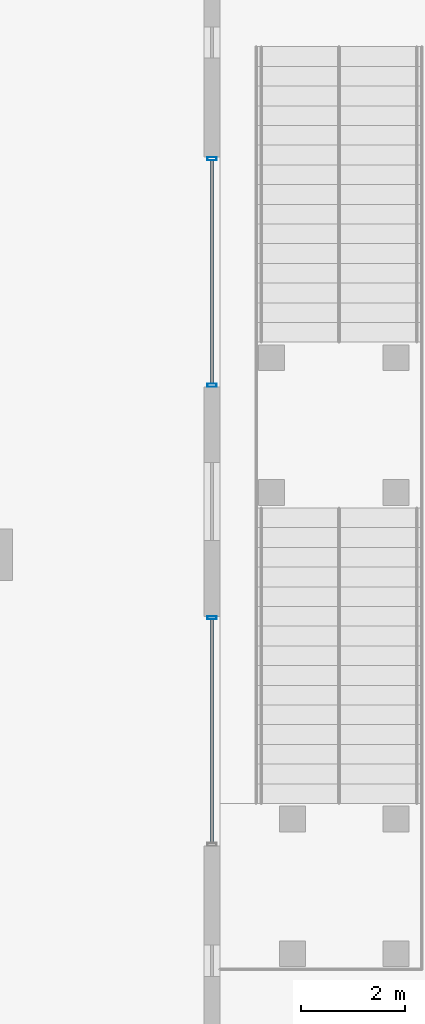
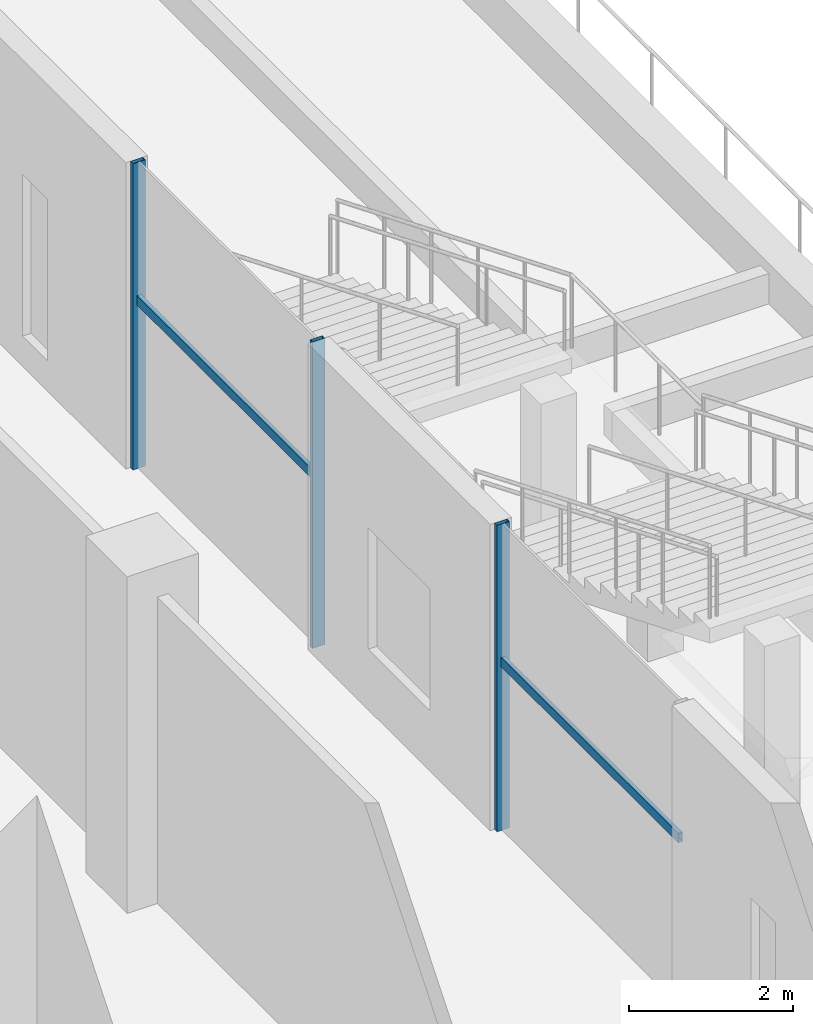
# One storey, part 14 of 49: 5 members, 2 elements without a shape of their own.
"""IFC4 building model written with IfcOpenShell, lengths in metres."""

from ifc_helpers import new_model, si_unit, direction, frame, origin, origin_2d, place, context, subcontext, project, spatial, hollow_rectangle, extrude, material, material_profile, profile_set, type_object, element, aggregate, save


model = new_model("IFC4")

# Units and contexts
model_context = context("Model", 3, precision=1e-05, world=origin(), true_north=direction((0.0, 1.0)))
body_context = subcontext(model_context, "Body", "Model", "MODEL_VIEW")
ifc_project = project(units=[si_unit("LENGTHUNIT", "METRE"), si_unit("AREAUNIT", "SQUARE_METRE"), si_unit("VOLUMEUNIT", "CUBIC_METRE"), si_unit("PLANEANGLEUNIT", "RADIAN"), si_unit("MASSUNIT", "GRAM", prefix="KILO")], contexts=[model_context])

# Site, building, storey
site_placement = place(None, origin())
site = spatial("IfcSite", under=ifc_project, at=site_placement, CompositionType="ELEMENT")
building_placement = place(site_placement, origin())
building = spatial("IfcBuilding", under=site, at=building_placement, Name="Altepetl Exchange Towers", CompositionType="ELEMENT")
storey_placement = place(building_placement, frame((0.0, 0.0, 11.5)))
storey = spatial("IfcBuildingStorey", under=building, at=storey_placement, Name="L02 Exchange podium", CompositionType="ELEMENT", Elevation=11.5)

# Curtain wall, member
ifc_material_1 = material(Name="Aluminium 6063-T6 glazing", Category="aluminium")
curtain_wall_type = type_object("IfcCurtainWallType", Name="Podium storefront system", PredefinedType="NOTDEFINED", material=ifc_material_1)
curtain_wall_1_placement = place(storey_placement, origin())
curtain_wall_1 = element("IfcCurtainWall", 1, at=curtain_wall_1_placement, inside=storey, type_object=curtain_wall_type, Name="CW5 run", PredefinedType="NOTDEFINED")
ifc_material_2 = material(Name="Aluminium 6063-T6", Category="aluminium")
ifc_material_profile_1 = material_profile(ifc_material_2, hollow_rectangle(XDim=0.06005859375, YDim=0.175048828125, WallThickness=0.0029296875, at=origin_2d()), Name="Mullion 60x175 aluminium")
ifc_profile_set_1 = profile_set([ifc_material_profile_1], Name="Aluminium 6063-T6")
member_type_1 = type_object("IfcMemberType", Name="Mullion 60x175 aluminium", PredefinedType="MULLION", material=ifc_profile_set_1)
member_1_placement = place(storey_placement, frame((134.85009765625, 34.780029296875, 0.0), z_axis=(0.0, 0.0, 1.0), x_axis=(0.0, 1.0, 0.0)))
member_1 = element("IfcMember", 2, at=member_1_placement, type_object=member_type_1, Name="MU4 mullion", PredefinedType="MULLION", context=body_context, shape_type="SweptSolid", body=[
    extrude(hollow_rectangle(XDim=0.06005859375, YDim=0.175048828125, WallThickness=0.0029296875, at=origin_2d()), origin(), (0.0, 0.0, 1.0), 4.550048828125),
])

# Curtain wall, members
curtain_wall_2_placement = place(storey_placement, origin())
curtain_wall_2 = element("IfcCurtainWall", 3, at=curtain_wall_2_placement, inside=storey, type_object=curtain_wall_type, Name="CW5 run", PredefinedType="NOTDEFINED")
member_2_placement = place(storey_placement, frame((134.85009765625, 39.27001953125, 0.0), z_axis=(0.0, 0.0, 1.0), x_axis=(0.0, 1.0, 0.0)))
member_2 = element("IfcMember", 4, at=member_2_placement, type_object=member_type_1, Name="MU4 mullion", PredefinedType="MULLION", context=body_context, shape_type="SweptSolid", body=[
    extrude(hollow_rectangle(XDim=0.06005859375, YDim=0.175048828125, WallThickness=0.0029296875, at=origin_2d()), origin(), (0.0, 0.0, 1.0), 4.550048828125),
])
member_3_placement = place(storey_placement, frame((134.85009765625, 43.639892578125, 0.0), z_axis=(0.0, 0.0, 1.0), x_axis=(0.0, 1.0, 0.0)))
member_3 = element("IfcMember", 5, at=member_3_placement, type_object=member_type_1, Name="MU4 mullion", PredefinedType="MULLION", context=body_context, shape_type="SweptSolid", body=[
    extrude(hollow_rectangle(XDim=0.06005859375, YDim=0.175048828125, WallThickness=0.0029296875, at=origin_2d()), origin(), (0.0, 0.0, 1.0), 4.550048828125),
])

# Member
ifc_material_profile_2 = material_profile(ifc_material_2, hollow_rectangle(XDim=0.06005859375, YDim=0.139892578125, WallThickness=0.0029296875, at=origin_2d()), Name="Transom 60x140 aluminium")
ifc_profile_set_2 = profile_set([ifc_material_profile_2], Name="Aluminium 6063-T6")
member_type_2 = type_object("IfcMemberType", Name="Transom 60x140 aluminium", PredefinedType="USERDEFINED", material=ifc_profile_set_2)
member_4_placement = place(storey_placement, frame((134.85009765625, 30.43994140625, 2.5), z_axis=(0.0, 1.0, 0.0), x_axis=(-1.0, 0.0, 0.0)))
member_4 = element("IfcMember", 6, at=member_4_placement, type_object=member_type_2, Name="TR3 transom", ObjectType="TRANSOM", PredefinedType="USERDEFINED", context=body_context, shape_type="SweptSolid", body=[
    extrude(hollow_rectangle(XDim=0.06005859375, YDim=0.139892578125, WallThickness=0.0029296875, at=origin_2d()), origin(), (0.0, 0.0, 1.0), 4.31005859375),
])

aggregate(curtain_wall_1, [member_1, member_4])

member_5_placement = place(storey_placement, frame((134.85009765625, 39.300048828125, 2.5), z_axis=(0.0, 1.0, 0.0), x_axis=(-1.0, 0.0, 0.0)))
member_5 = element("IfcMember", 7, at=member_5_placement, type_object=member_type_2, Name="TR3 transom", ObjectType="TRANSOM", PredefinedType="USERDEFINED", context=body_context, shape_type="SweptSolid", body=[
    extrude(hollow_rectangle(XDim=0.06005859375, YDim=0.139892578125, WallThickness=0.0029296875, at=origin_2d()), origin(), (0.0, 0.0, 1.0), 4.31005859375),
])

aggregate(curtain_wall_2, [member_2, member_3, member_5])

save(model, "model.ifc")
